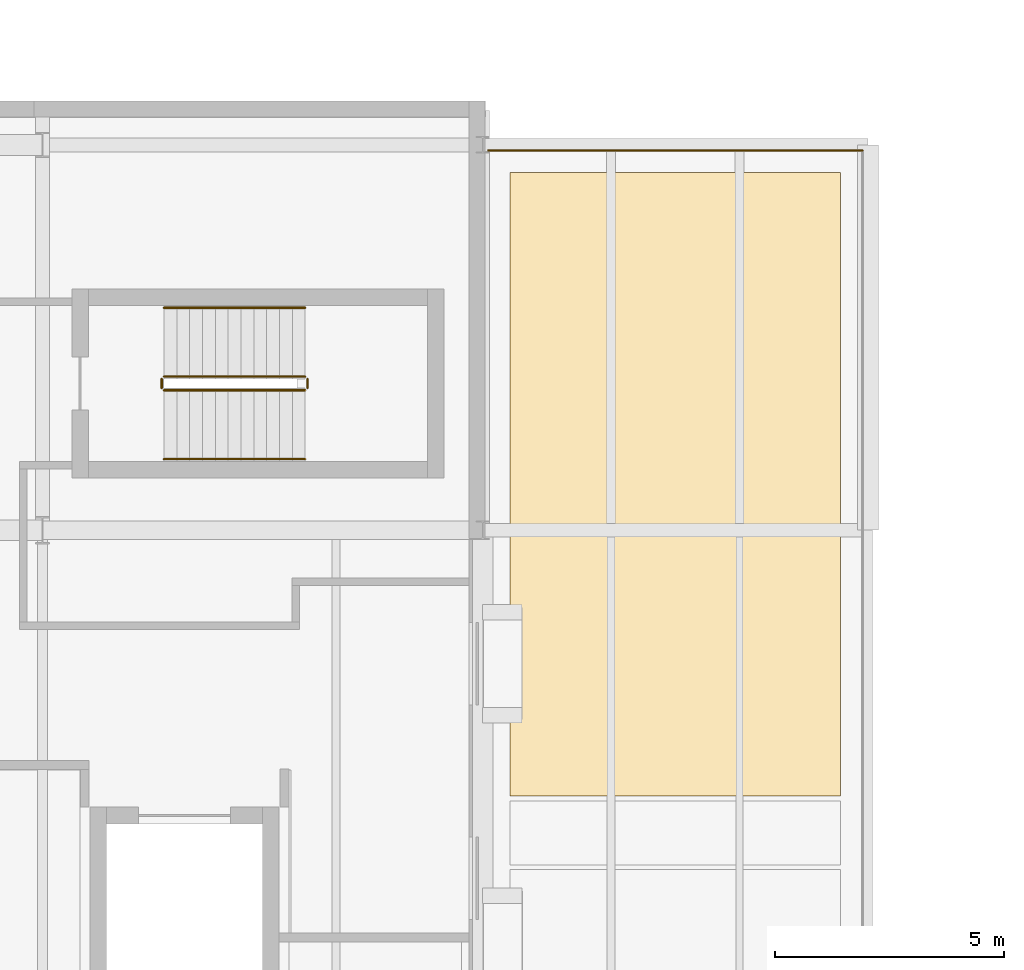
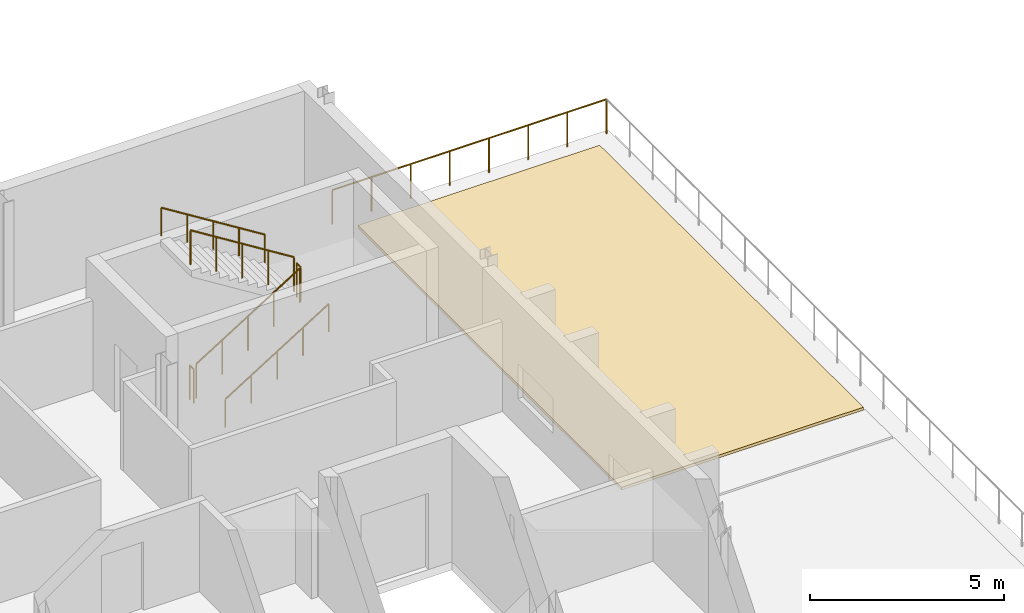
# One storey, part 86 of 89: 7 railings, 1 covering.
"""IFC4 building model written with IfcOpenShell, lengths in metres."""

from ifc_helpers import new_model, si_unit, direction, frame, origin, origin_2d, place, context, subcontext, project, spatial, polyline, circle, outline, extrude, material, layer, layer_set, type_object, element, save


model = new_model("IFC4")

# Units and contexts
model_context = context("Model", 3, precision=1e-05, world=origin(), true_north=direction((0.0, 1.0)))
body_context = subcontext(model_context, "Body", "Model", "MODEL_VIEW")
ifc_project = project(units=[si_unit("LENGTHUNIT", "METRE"), si_unit("AREAUNIT", "SQUARE_METRE"), si_unit("VOLUMEUNIT", "CUBIC_METRE"), si_unit("PLANEANGLEUNIT", "RADIAN"), si_unit("MASSUNIT", "GRAM", prefix="KILO")], contexts=[model_context])

# Site, building, storey
site_placement = place(None, origin())
site = spatial("IfcSite", under=ifc_project, at=site_placement, CompositionType="ELEMENT")
building_placement = place(site_placement, origin())
building = spatial("IfcBuilding", under=site, at=building_placement, Name="Zereglee Splitstone Museum", CompositionType="ELEMENT")
storey_placement = place(building_placement, frame((0.0, 0.0, 21.300048828125)))
storey = spatial("IfcBuildingStorey", under=building, at=storey_placement, Name="L04", CompositionType="ELEMENT", Elevation=21.300048828125)

# Railings
ifc_material_1 = material(Name="Painted steel S355J2 post-and-baluster guard", Category="steel")
railing_type_1 = type_object("IfcRailingType", Name="GR-03", PredefinedType="BALUSTRADE", material=ifc_material_1)
railing_1_placement = place(storey_placement, frame((32.64990234375, 24.64990234375, 0.175048828125)))
element("IfcRailing", 1, at=railing_1_placement, inside=storey, type_object=railing_type_1, Name="L04 ST-02 stair guard 1", PredefinedType="BALUSTRADE", context=body_context, shape_type="SweptSolid", body=[
    extrude(circle(Radius=0.02392578125, at=origin_2d()), frame((0.0, 0.0, 1.076416015625), z_axis=(0.848028513186, 0.0, 0.529950602248), x_axis=(0.0, 1.0, 0.0)), (0.0, 0.0, 1.0), 3.632080078125),
    extrude(circle(Radius=0.02099609375, at=origin_2d()), origin(), (0.0, 0.0, 1.0), 1.052001953125),
    extrude(circle(Radius=0.02099609375, at=origin_2d()), frame((0.77001953125, 0.0, 0.481201171875)), (0.0, 0.0, 1.0), 1.052001953125),
    extrude(circle(Radius=0.02099609375, at=origin_2d()), frame((1.5400390625, 0.0, 0.96240234375)), (0.0, 0.0, 1.0), 1.052001953125),
    extrude(circle(Radius=0.02099609375, at=origin_2d()), frame((2.31005859375, 0.0, 1.443603515625)), (0.0, 0.0, 1.0), 1.052001953125),
    extrude(circle(Radius=0.02099609375, at=origin_2d()), frame((3.080078125, 0.0, 1.9248046875)), (0.0, 0.0, 1.0), 1.052001953125),
])
railing_2_placement = place(storey_placement, frame((35.780029296875, 24.699951171875, 2.099853515625)))
element("IfcRailing", 2, at=railing_2_placement, inside=storey, type_object=railing_type_1, Name="L04 ST-02 stair guard 2", PredefinedType="BALUSTRADE", context=body_context, shape_type="SweptSolid", body=[
    extrude(circle(Radius=0.02392578125, at=origin_2d()), frame((0.0, 0.0, 1.076416015625), z_axis=(0.0, 1.0, 0.0), x_axis=(-1.0, 0.0, 0.0)), (0.0, 0.0, 1.0), 0.199951171875),
    extrude(circle(Radius=0.02099609375, at=origin_2d()), origin(), (0.0, 0.0, 1.0), 1.052001953125),
    extrude(circle(Radius=0.02099609375, at=origin_2d()), frame((0.0, 0.199951171875, 0.0)), (0.0, 0.0, 1.0), 1.052001953125),
])
railing_3_placement = place(storey_placement, frame((35.72998046875, 24.949951171875, 2.27490234375)))
element("IfcRailing", 3, at=railing_3_placement, inside=storey, type_object=railing_type_1, Name="L04 ST-02 stair guard 3", PredefinedType="BALUSTRADE", context=body_context, shape_type="SweptSolid", body=[
    extrude(circle(Radius=0.02392578125, at=origin_2d()), frame((0.0, 0.0, 1.076416015625), z_axis=(-0.847998304005, 0.0, 0.529998940003), x_axis=(0.0, -1.0, 0.0)), (0.0, 0.0, 1.0), 3.632080078125),
    extrude(circle(Radius=0.02099609375, at=origin_2d()), origin(), (0.0, 0.0, 1.0), 1.052001953125),
    extrude(circle(Radius=0.02099609375, at=origin_2d()), frame((-0.77001953125, 0.0, 0.481201171875)), (0.0, 0.0, 1.0), 1.052001953125),
    extrude(circle(Radius=0.02099609375, at=origin_2d()), frame((-1.5400390625, 0.0, 0.96240234375)), (0.0, 0.0, 1.0), 1.052001953125),
    extrude(circle(Radius=0.02099609375, at=origin_2d()), frame((-2.31005859375, 0.0, 1.44384765625)), (0.0, 0.0, 1.0), 1.052001953125),
    extrude(circle(Radius=0.02099609375, at=origin_2d()), frame((-3.080078125, 0.0, 1.925048828125)), (0.0, 0.0, 1.0), 1.052001953125),
])
railing_4_placement = place(storey_placement, frame((32.60009765625, 24.699951171875, 0.0)))
element("IfcRailing", 4, at=railing_4_placement, inside=storey, type_object=railing_type_1, Name="L04 ST-02 stair guard 4", PredefinedType="BALUSTRADE", context=body_context, shape_type="SweptSolid", body=[
    extrude(circle(Radius=0.02392578125, at=origin_2d()), frame((0.0, 0.0, 1.076416015625), z_axis=(0.0, 1.0, 0.0), x_axis=(-1.0, 0.0, 0.0)), (0.0, 0.0, 1.0), 0.199951171875),
    extrude(circle(Radius=0.02099609375, at=origin_2d()), origin(), (0.0, 0.0, 1.0), 1.052001953125),
    extrude(circle(Radius=0.02099609375, at=origin_2d()), frame((0.0, 0.199951171875, 0.0)), (0.0, 0.0, 1.0), 1.052001953125),
])
ifc_material_2 = material(Name="Brushed stainless steel 1.4404 post-and-rail guard", Category="steel")
railing_type_2 = type_object("IfcRailingType", Name="GR-01", PredefinedType="GUARDRAIL", material=ifc_material_2)
railing_5_placement = place(storey_placement, frame((47.8798828125, 29.8798828125, 0.0)))
element("IfcRailing", 5, at=railing_5_placement, inside=storey, type_object=railing_type_2, Name="Outdoor Terrace Guard TER-L04-V1E-3", PredefinedType="GUARDRAIL", context=body_context, shape_type="SweptSolid", body=[
    extrude(circle(Radius=0.02392578125, at=origin_2d()), frame((0.0, 0.0, 1.076416015625), z_axis=(-1.0, 0.0, 0.0), x_axis=(0.0, -1.0, 0.0)), (0.0, 0.0, 1.0), 8.159912109375),
    extrude(circle(Radius=0.02099609375, at=origin_2d()), origin(), (0.0, 0.0, 1.0), 1.052001953125),
    extrude(circle(Radius=0.02099609375, at=origin_2d()), frame((-1.165771484375, 0.0, 0.0)), (0.0, 0.0, 1.0), 1.052001953125),
    extrude(circle(Radius=0.02099609375, at=origin_2d()), frame((-2.331298828125, 0.0, 0.0)), (0.0, 0.0, 1.0), 1.052001953125),
    extrude(circle(Radius=0.02099609375, at=origin_2d()), frame((-3.4970703125, 0.0, 0.0)), (0.0, 0.0, 1.0), 1.052001953125),
    extrude(circle(Radius=0.02099609375, at=origin_2d()), frame((-4.662841796875, 0.0, 0.0)), (0.0, 0.0, 1.0), 1.052001953125),
    extrude(circle(Radius=0.02099609375, at=origin_2d()), frame((-5.82861328125, 0.0, 0.0)), (0.0, 0.0, 1.0), 1.052001953125),
    extrude(circle(Radius=0.02099609375, at=origin_2d()), frame((-6.994140625, 0.0, 0.0)), (0.0, 0.0, 1.0), 1.052001953125),
    extrude(circle(Radius=0.02099609375, at=origin_2d()), frame((-8.159912109375, 0.0, 0.0)), (0.0, 0.0, 1.0), 1.052001953125),
])
ifc_material_3 = material(Name="Architectural bronze tubular handrail", Category="steel")
railing_type_3 = type_object("IfcRailingType", Name="HR-01", PredefinedType="HANDRAIL", material=ifc_material_3)
railing_6_placement = place(storey_placement, frame((32.64990234375, 23.14990234375, 0.175048828125)))
element("IfcRailing", 6, at=railing_6_placement, inside=storey, type_object=railing_type_3, Name="L04 ST-02 stair handrail 1", PredefinedType="HANDRAIL", context=body_context, shape_type="SweptSolid", body=[
    extrude(circle(Radius=0.02392578125, at=origin_2d()), frame((0.0, 0.0, 0.8759765625), z_axis=(0.848028513186, 0.0, 0.529950602248), x_axis=(0.0, 1.0, 0.0)), (0.0, 0.0, 1.0), 3.632080078125),
    extrude(circle(Radius=0.02099609375, at=origin_2d()), origin(), (0.0, 0.0, 1.0), 0.851806640625),
    extrude(circle(Radius=0.02099609375, at=origin_2d()), frame((0.77001953125, 0.0, 0.481201171875)), (0.0, 0.0, 1.0), 0.851806640625),
    extrude(circle(Radius=0.02099609375, at=origin_2d()), frame((1.5400390625, 0.0, 0.96240234375)), (0.0, 0.0, 1.0), 0.851806640625),
    extrude(circle(Radius=0.02099609375, at=origin_2d()), frame((2.31005859375, 0.0, 1.443603515625)), (0.0, 0.0, 1.0), 0.851806640625),
    extrude(circle(Radius=0.02099609375, at=origin_2d()), frame((3.080078125, 0.0, 1.9248046875)), (0.0, 0.0, 1.0), 0.851806640625),
])
railing_7_placement = place(storey_placement, frame((35.72998046875, 26.449951171875, 2.27490234375)))
element("IfcRailing", 7, at=railing_7_placement, inside=storey, type_object=railing_type_3, Name="L04 ST-02 stair handrail 2", PredefinedType="HANDRAIL", context=body_context, shape_type="SweptSolid", body=[
    extrude(circle(Radius=0.02392578125, at=origin_2d()), frame((0.0, 0.0, 0.8759765625), z_axis=(-0.847998304005, 0.0, 0.529998940003), x_axis=(0.0, -1.0, 0.0)), (0.0, 0.0, 1.0), 3.632080078125),
    extrude(circle(Radius=0.02099609375, at=origin_2d()), origin(), (0.0, 0.0, 1.0), 0.851806640625),
    extrude(circle(Radius=0.02099609375, at=origin_2d()), frame((-0.77001953125, 0.0, 0.481201171875)), (0.0, 0.0, 1.0), 0.851806640625),
    extrude(circle(Radius=0.02099609375, at=origin_2d()), frame((-1.5400390625, 0.0, 0.96240234375)), (0.0, 0.0, 1.0), 0.851806640625),
    extrude(circle(Radius=0.02099609375, at=origin_2d()), frame((-2.31005859375, 0.0, 1.44384765625)), (0.0, 0.0, 1.0), 0.851806640625),
    extrude(circle(Radius=0.02099609375, at=origin_2d()), frame((-3.080078125, 0.0, 1.925048828125)), (0.0, 0.0, 1.0), 0.851806640625),
])

# Covering
ifc_material_4 = material(Name="Riven Khoroo red sandstone charbagh terrace paving", Category="masonry")
ifc_layer = layer(ifc_material_4, 0.090087890625)
ifc_layer_set = layer_set([ifc_layer], Name="Riven Khoroo red sandstone charbagh terrace paving")
covering_type = type_object("IfcCoveringType", Name="PAV-02", PredefinedType="FLOORING", material=ifc_layer_set)
covering_placement = place(storey_placement, origin())
element("IfcCovering", 8, at=covering_placement, inside=storey, type_object=covering_type, Name="Charbagh Stone Terrace Parterre PAV-TER-V1E-N", PredefinedType="FLOORING", context=body_context, shape_type="SweptSolid", body=[
    extrude(outline(polyline([(40.199951171875, 15.800048828125), (47.39990234375, 15.800048828125), (47.39990234375, 29.39990234375), (40.199951171875, 29.39990234375), (40.199951171875, 15.800048828125)])), origin(), (0.0, 0.0, 1.0), 0.08984375),
])

save(model, "model.ifc")
